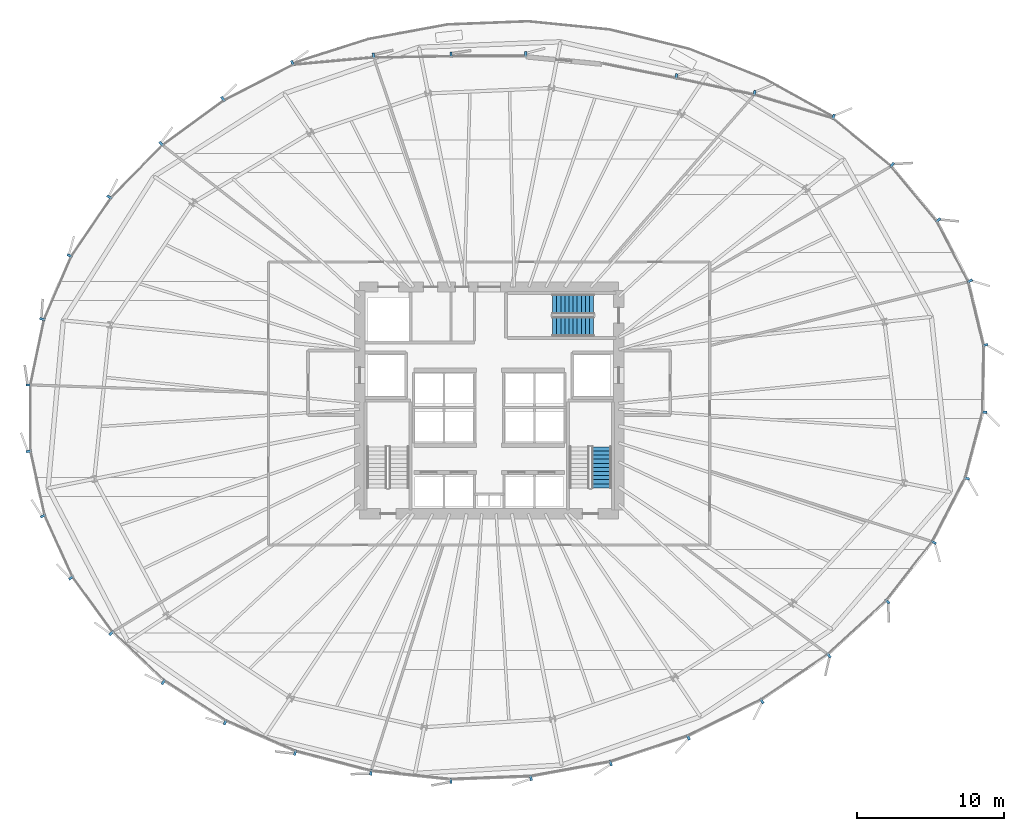
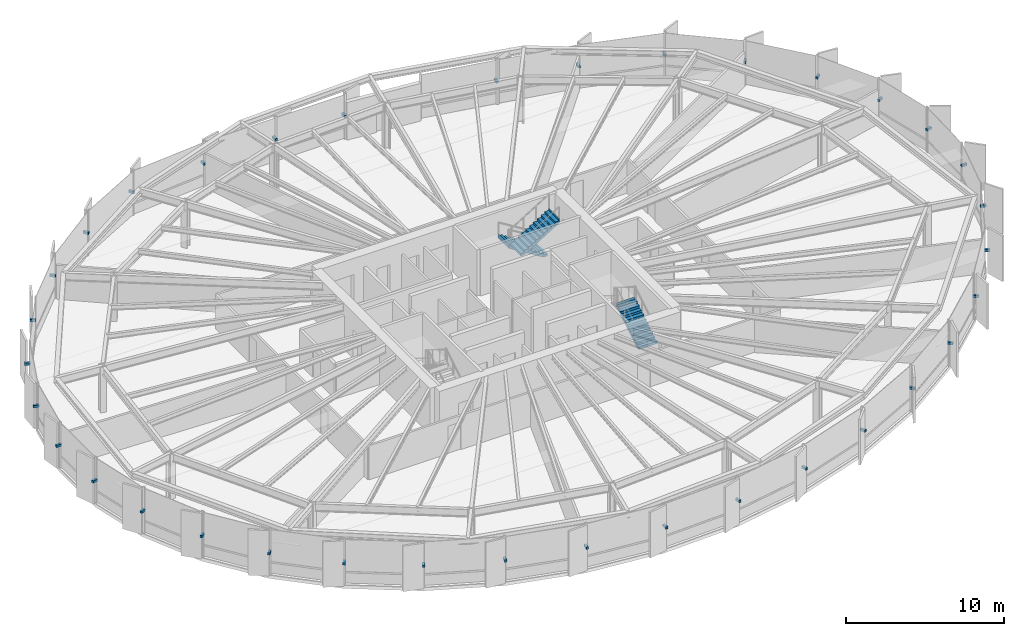
# One storey, part 32 of 37: 35 discrete accessories, 3 stair flights, 2 elements without a shape of their own.
"""IFC4 building model written with IfcOpenShell, lengths in metres."""

from ifc_helpers import new_model, si_unit, direction, frame, origin, origin_2d, place, context, subcontext, project, spatial, polyline, rectangle, outline, extrude, source, transform, mapped, material, type_object, element, aggregate, save


model = new_model("IFC4")

# Units and contexts
model_context = context("Model", 3, precision=1e-05, world=origin(), true_north=direction((0.0, 1.0)))
body_context = subcontext(model_context, "Body", "Model", "MODEL_VIEW")
ifc_project = project(units=[si_unit("LENGTHUNIT", "METRE"), si_unit("AREAUNIT", "SQUARE_METRE"), si_unit("VOLUMEUNIT", "CUBIC_METRE"), si_unit("PLANEANGLEUNIT", "RADIAN"), si_unit("MASSUNIT", "GRAM", prefix="KILO"), si_unit("THERMODYNAMICTEMPERATUREUNIT", "KELVIN")], contexts=[model_context])

# Site, building, storey
site_placement = place(None, origin())
site = spatial("IfcSite", under=ifc_project, at=site_placement, CompositionType="ELEMENT")
building_placement = place(site_placement, origin())
building = spatial("IfcBuilding", under=site, at=building_placement, Name="Kethvar Cultural Tower", CompositionType="ELEMENT")
storey_placement = place(building_placement, frame((0.0, 0.0, 56.199951171875)))
storey = spatial("IfcBuildingStorey", under=building, at=storey_placement, Name="L13", CompositionType="ELEMENT", Elevation=56.199951171875)

# Stair, stair flight
ifc_material_1 = material(Name="Concrete C40/50", Category="concrete")
stair_type = type_object("IfcStairType", Name="ST-DOGLEG-135", PredefinedType="HALF_TURN_STAIR", material=ifc_material_1)
stair_1_placement = place(storey_placement, origin())
stair_1 = element("IfcStair", 1, at=stair_1_placement, inside=storey, type_object=stair_type, Name="L13 Core Exit Stair 2", PredefinedType="HALF_TURN_STAIR")
stair_flight_type = type_object("IfcStairFlightType", Name="FL-STRAIGHT-135", PredefinedType="STRAIGHT", material=ifc_material_1)
stair_flight_1_placement = place(storey_placement, frame((54.43505859375, 21.85009765625, 0.0), z_axis=(0.0, 0.0, 1.0), x_axis=(0.0, 1.0, 0.0)))
stair_flight_1 = element("IfcStairFlight", 2, at=stair_flight_1_placement, type_object=stair_flight_type, Name="ST-02 flight 1", NumberOfRisers=11, NumberOfTreads=10, PredefinedType="STRAIGHT", RiserHeight=0.172727273, TreadLength=0.28, context=body_context, shape_type="SweptSolid", body=[
    extrude(outline(polyline([(-0.0009765625, -0.0009765625), (-0.0009765625, 0.172607421875), (0.280029296875, 0.172607421875), (0.280029296875, 0.345458984375), (0.56005859375, 0.345458984375), (0.56005859375, 0.51806640625), (0.840087890625, 0.51806640625), (0.840087890625, 0.69091796875), (1.1201171875, 0.69091796875), (1.1201171875, 0.863525390625), (1.39990234375, 0.863525390625), (1.39990234375, 1.036376953125), (1.679931640625, 1.036376953125), (1.679931640625, 1.208984375), (1.9599609375, 1.208984375), (1.9599609375, 1.3818359375), (2.239990234375, 1.3818359375), (2.239990234375, 1.554443359375), (2.52001953125, 1.554443359375), (2.52001953125, 1.727294921875), (2.800048828125, 1.727294921875), (2.800048828125, 1.89990234375), (2.801025390625, 1.89990234375), (2.801025390625, 1.551025390625), (0.285400390625, 0.0), (0.0, -0.0009765625), (-0.0009765625, -0.0009765625)])), frame((0.0, 0.675048828125, 0.0), z_axis=(0.0, -1.0, 0.0), x_axis=(1.0, 0.0, 0.0)), (0.0, 0.0, 1.0), 1.35009765625),
])
aggregate(stair_1, [stair_flight_1])

# Stair, stair flights
stair_2_placement = place(storey_placement, origin())
stair_2 = element("IfcStair", 3, at=stair_2_placement, inside=storey, type_object=stair_type, Name="L13 Core Exit Stair 3", PredefinedType="HALF_TURN_STAIR")
stair_flight_2_placement = place(storey_placement, frame((53.89990234375, 34.3349609375, 0.0), z_axis=(0.0, 0.0, 1.0), x_axis=(-1.0, 0.0, 0.0)))
stair_flight_2 = element("IfcStairFlight", 4, at=stair_flight_2_placement, type_object=stair_flight_type, Name="ST-03 flight 1", NumberOfRisers=11, NumberOfTreads=10, PredefinedType="STRAIGHT", RiserHeight=0.172727273, TreadLength=0.28, context=body_context, shape_type="SweptSolid", body=[
    extrude(outline(polyline([(-0.0009765625, -0.0009765625), (-0.0009765625, 0.172607421875), (0.280029296875, 0.172607421875), (0.280029296875, 0.345458984375), (0.56005859375, 0.345458984375), (0.56005859375, 0.51806640625), (0.840087890625, 0.51806640625), (0.840087890625, 0.69091796875), (1.1201171875, 0.69091796875), (1.1201171875, 0.863525390625), (1.39990234375, 0.863525390625), (1.39990234375, 1.036376953125), (1.679931640625, 1.036376953125), (1.679931640625, 1.208984375), (1.9599609375, 1.208984375), (1.9599609375, 1.3818359375), (2.239990234375, 1.3818359375), (2.239990234375, 1.554443359375), (2.52001953125, 1.554443359375), (2.52001953125, 1.727294921875), (2.800048828125, 1.727294921875), (2.800048828125, 1.89990234375), (2.801025390625, 1.89990234375), (2.801025390625, 1.551025390625), (0.285400390625, 0.0), (0.0, -0.0009765625), (-0.0009765625, -0.0009765625)])), frame((0.0, 0.675048828125, 0.0), z_axis=(0.0, -1.0, 0.0), x_axis=(1.0, 0.0, 0.0)), (0.0, 0.0, 1.0), 1.35009765625),
])
stair_flight_3_placement = place(storey_placement, frame((51.10009765625, 32.824951171875, 1.900146484375), z_axis=(0.0, 0.0, 1.0), x_axis=(1.0, 0.0, 0.0)))
stair_flight_3 = element("IfcStairFlight", 5, at=stair_flight_3_placement, type_object=stair_flight_type, Name="ST-03 flight 2", NumberOfRisers=11, NumberOfTreads=10, PredefinedType="STRAIGHT", RiserHeight=0.172727273, TreadLength=0.28, context=body_context, shape_type="SweptSolid", body=[
    extrude(outline(polyline([(-0.0009765625, -0.0009765625), (-0.0009765625, 0.172607421875), (0.280029296875, 0.172607421875), (0.280029296875, 0.345458984375), (0.56005859375, 0.345458984375), (0.56005859375, 0.51806640625), (0.840087890625, 0.51806640625), (0.840087890625, 0.69091796875), (1.1201171875, 0.69091796875), (1.1201171875, 0.863525390625), (1.39990234375, 0.863525390625), (1.39990234375, 1.036376953125), (1.679931640625, 1.036376953125), (1.679931640625, 1.208984375), (1.9599609375, 1.208984375), (1.9599609375, 1.3818359375), (2.239990234375, 1.3818359375), (2.239990234375, 1.554443359375), (2.52001953125, 1.554443359375), (2.52001953125, 1.727294921875), (2.800048828125, 1.727294921875), (2.800048828125, 1.89990234375), (2.801025390625, 1.89990234375), (2.801025390625, 1.551025390625), (0.285400390625, 0.0), (0.0, -0.0009765625), (-0.0009765625, -0.0009765625)])), frame((0.0, 0.675048828125, 0.0), z_axis=(0.0, -1.0, 0.0), x_axis=(1.0, 0.0, 0.0)), (0.0, 0.0, 1.0), 1.35009765625),
])
aggregate(stair_2, [stair_flight_2, stair_flight_3])

# Discrete accessories
ifc_material_2 = material(Name="Steel S355J2", Category="steel")
discrete_accessory_type = type_object("IfcDiscreteAccessoryType", Name="Steel Fin Bracket BRK-01", PredefinedType="BRACKET", material=ifc_material_2)
shared_shape = source(origin(), body_context, "Body", "SweptSolid", [
    extrude(rectangle(XDim=0.3798828125, YDim=0.159912109375, at=origin_2d()), origin(), (0.0, 0.0, 1.0), 0.179931640625),
])
for number, where, z_axis, x_axis, name in (
    (6, (80.503173828125, 31.564453125, 1.68505859375), (0.0, 0.0, 1.0), (0.972165830661, 0.234293827692, 0.0), "L13 Terracotta Fin Bracket 1.1"),
    (7, (79.454345703125, 35.9140625, 1.68505859375), (0.0, 0.0, 1.0), (0.887413447059, 0.460974374535, 0.0), "L13 Terracotta Fin Bracket 1.2"),
    (8, (77.306884765625, 40.04736328125, 1.68505859375), (0.0, 0.0, 1.0), (0.767389013234, 0.641181801339, 0.0), "L13 Terracotta Fin Bracket 1.3"),
    (9, (74.170166015625, 43.80126953125, 1.68505859375), (0.0, 0.0, 1.0), (0.63432582386, 0.773065811677, 0.0), "L13 Terracotta Fin Bracket 1.4"),
    (10, (70.1875, 47.068603515625, 1.68505859375), (0.0, 0.0, 1.0), (0.28736051985, 0.957822494845, 0.0), "L13 Terracotta Fin Bracket 1.5"),
    (11, (64.822509765625, 48.67822265625, 1.68505859375), (0.0, 0.0, 1.0), (0.20842381918, 0.97803860435, 0.0), "L13 Terracotta Fin Bracket 1.6"),
    (12, (59.50537109375, 49.810546875, 1.68505859375), (0.0, 0.0, 1.0), (0.194405557233, 0.980921240119, 0.0), "L13 Terracotta Fin Bracket 2.1"),
    (13, (49.279541015625, 51.31103515625, 1.68505859375), (0.0, 0.0, 1.0), (-0.003316119501, 0.999994501661, 0.0), "L13 Terracotta Fin Bracket 3.1"),
    (14, (44.207275390625, 51.2939453125, 1.68505859375), (0.0, 0.0, 1.0), (-0.015358293575, 0.999882054454, 0.0), "L13 Terracotta Fin Bracket 3.2"),
    (15, (38.9453125, 51.21337890625, 1.68505859375), (0.0, 0.0, 1.0), (-0.089937299699, 0.995947429397, 0.0), "L13 Terracotta Fin Bracket 3.3"),
    (16, (33.44189453125, 50.715087890625, 1.68505859375), (0.0, 0.0, 1.0), (-0.457408364087, 0.889256761832, 0.0), "L13 Terracotta Fin Bracket 3.4"),
    (17, (28.709228515625, 48.28076171875, 1.68505859375), (0.0, 0.0, 1.0), (-0.590042159163, 0.807372435998, 0.0), "L13 Terracotta Fin Bracket 3.5"),
    (18, (24.526123046875, 45.22412109375, 1.68505859375), (0.0, 0.0, 1.0), (-0.714960962638, 0.699164374023, 0.0), "L13 Terracotta Fin Bracket 3.6"),
    (19, (20.99609375, 41.602783203125, 1.68505859375), (0.0, 0.0, 1.0), (-0.827080574275, 0.562083377852, 0.0), "L13 Terracotta Fin Bracket 4.1"),
    (20, (18.296875, 37.630859375, 1.68505859375), (0.0, 0.0, 1.0), (-0.918239148313, 0.396026345721, 0.0), "L13 Terracotta Fin Bracket 4.2"),
    (21, (16.43994140625, 33.3251953125, 1.68505859375), (0.0, 0.0, 1.0), (-0.978867388762, 0.204496051842, 0.0), "L13 Terracotta Fin Bracket 4.3"),
    (22, (15.505615234375, 28.851318359375, 1.68505859375), (0.0, 0.0, 1.0), (-0.999993283193, -0.003665183223, 0.0), "L13 Terracotta Fin Bracket 4.4"),
    (23, (15.52197265625, 24.345947265625, 1.68505859375), (0.0, 0.0, 1.0), (-0.976709741843, -0.214564862428, 0.0), "L13 Terracotta Fin Bracket 4.5"),
    (24, (16.4892578125, 19.9453125, 1.68505859375), (0.0, 0.0, 1.0), (-0.910683660806, -0.413104429825, 0.0), "L13 Terracotta Fin Bracket 4.6"),
    (25, (18.402099609375, 15.7490234375, 1.68505859375), (0.0, 0.0, 1.0), (-0.809734505573, -0.586796413149, 0.0), "L13 Terracotta Fin Bracket 5.1"),
    (26, (21.12890625, 11.98681640625, 1.68505859375), (0.0, 0.0, 1.0), (-0.684547105929, -0.728968627421, 0.0), "L13 Terracotta Fin Bracket 5.2"),
    (27, (24.66064453125, 8.670654296875, 1.68505859375), (0.0, 0.0, 1.0), (-0.545224404752, -0.838290133822, 0.0), "L13 Terracotta Fin Bracket 5.3"),
    (28, (28.864990234375, 5.93603515625, 1.68505859375), (0.0, 0.0, 1.0), (-0.399709193175, -0.916642002579, 0.0), "L13 Terracotta Fin Bracket 5.4"),
    (29, (33.6142578125, 3.865478515625, 1.68505859375), (0.0, 0.0, 1.0), (-0.252407137104, -0.967621122723, 0.0), "L13 Terracotta Fin Bracket 5.5"),
    (30, (38.763916015625, 2.522216796875, 1.68505859375), (0.0, 0.0, 1.0), (-0.106090525009, -0.994356475568, 0.0), "L13 Terracotta Fin Bracket 5.6"),
    (31, (44.19970703125, 1.94873046875, 1.68505859375), (0.0, 0.0, 1.0), (0.038387809088, -0.999262916411, 0.0), "L13 Terracotta Fin Bracket 6.1"),
    (32, (49.631591796875, 2.1572265625, 1.68505859375), (0.0, 0.0, 1.0), (0.180175803048, -0.983634423958, 0.0), "L13 Terracotta Fin Bracket 6.2"),
    (33, (55.05029296875, 3.14990234375, 1.68505859375), (0.0, 0.0, 1.0), (0.315483422034, -0.948931088342, 0.0), "L13 Terracotta Fin Bracket 6.3"),
    (34, (60.32470703125, 4.903076171875, 1.68505859375), (0.0, 0.0, 1.0), (0.442288690219, -0.896872741533, 0.0), "L13 Terracotta Fin Bracket 6.4"),
    (35, (65.321044921875, 7.36669921875, 1.68505859375), (0.0, 0.0, 1.0), (0.562083377852, -0.827080574275, 0.0), "L13 Terracotta Fin Bracket 6.5"),
    (36, (69.8798828125, 10.464599609375, 1.68505859375), (0.0, 0.0, 1.0), (0.677132874795, -0.735860767993, 0.0), "L13 Terracotta Fin Bracket 6.6"),
    (37, (73.8564453125, 14.133056640625, 1.68505859375), (0.0, 0.0, 1.0), (0.787688286008, -0.616073992379, 0.0), "L13 Terracotta Fin Bracket 7.1"),
    (38, (77.00244140625, 18.15625, 1.68505859375), (0.0, 0.0, 1.0), (0.888777277411, -0.458339340618, 0.0), "L13 Terracotta Fin Bracket 7.2"),
    (39, (79.244384765625, 22.50439453125, 1.68505859375), (0.0, 0.0, 1.0), (0.966600102017, -0.256289373133, 0.0), "L13 Terracotta Fin Bracket 7.3"),
    (40, (80.438232421875, 27.007080078125, 1.68505859375), (0.0, 0.0, 1.0), (0.999862544538, -0.016579868188, 0.0), "L13 Terracotta Fin Bracket 7.4"),
):
    element("IfcDiscreteAccessory", number, at=place(storey_placement, frame(where, z_axis=z_axis, x_axis=x_axis)), inside=storey, type_object=discrete_accessory_type, Name=name, PredefinedType="BRACKET", context=body_context, shape_type="MappedRepresentation", body=[
        mapped(shared_shape, transform((0.0, 0.0, 0.0), scale=1.0)),
    ])

save(model, "model.ifc")
